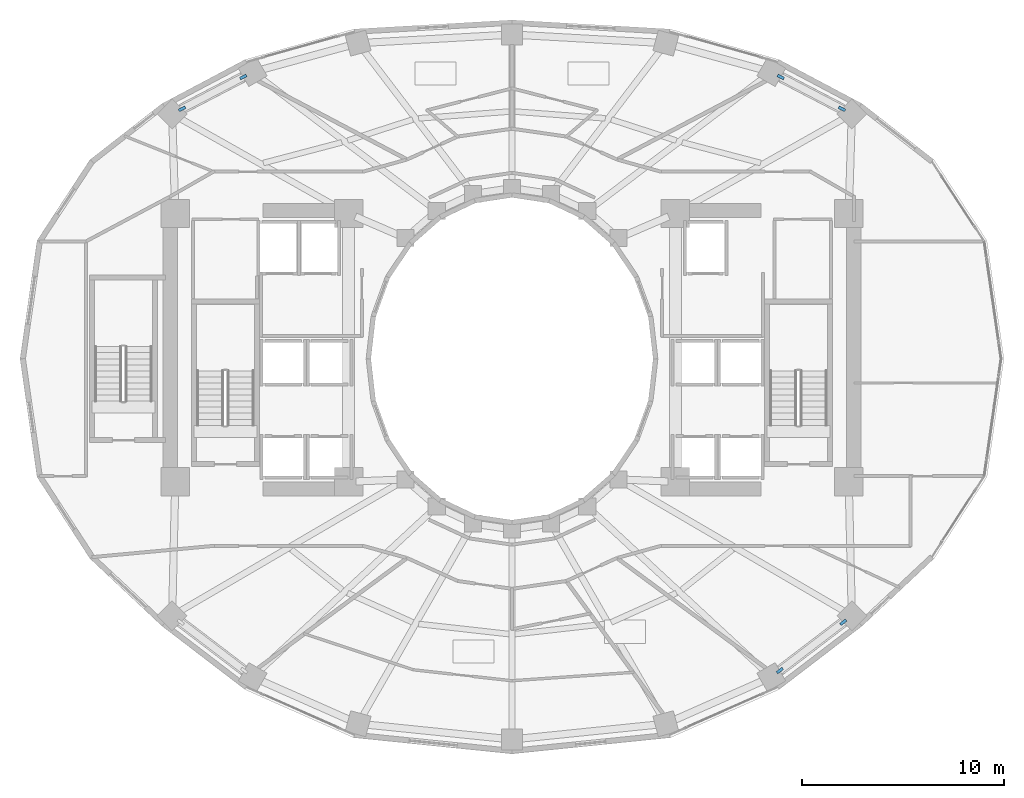
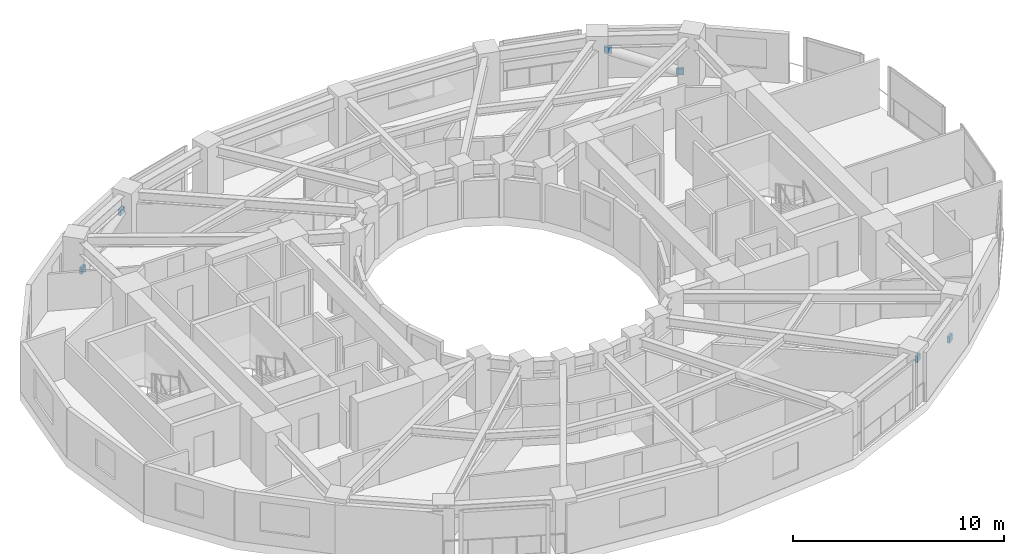
# One storey, part 15 of 18: 6 discrete accessories.
"""IFC4 building model written with IfcOpenShell, lengths in metres."""

import ifcopenshell
import ifcopenshell.guid

model = None  # the IFC model being written
_history = None  # IfcOwnerHistory: only IFC2X3 demands one
_inside = {}  # id of a spatial element -> (the spatial element, [elements in it])
_under = {}  # id of a project, library or spatial element -> (it, [spatial elements below it])
_declared = {}  # id of a project -> (the project, [libraries it declares])
_typed = {}  # id of a type object -> (the type object, [elements of that type])
_made_of = {}  # id of a material, layer set ... -> (it, [elements and type objects made of it])


def new_model(schema):
    """Start an empty IFC model of exactly this schema.

    Asked for "IFC4X3", IfcOpenShell would pick the latest addendum, in which some entities
    have other attributes; the version numbers below select the first issue.
    IFC2X3 requires an IfcOwnerHistory on every rooted entity: one is made here for all.
    """
    global model, _history
    if schema == "IFC4X3":
        model = ifcopenshell.file(schema_version=(4, 3, 0, 0))
    else:
        model = ifcopenshell.file(schema=schema)
    _inside.clear()
    _under.clear()
    _declared.clear()
    _typed.clear()
    _made_of.clear()
    _history = None
    if model.schema == "IFC2X3":
        org = make("IfcOrganization", Name="unknown")
        user = make(
            "IfcPersonAndOrganization",
            ThePerson=make("IfcPerson", FamilyName="unknown"),
            TheOrganization=org,
        )
        app = make(
            "IfcApplication",
            ApplicationDeveloper=org,
            Version="unknown",
            ApplicationFullName="unknown",
            ApplicationIdentifier="unknown",
        )
        _history = make(
            "IfcOwnerHistory",
            OwningUser=user,
            OwningApplication=app,
            ChangeAction="ADDED",
            CreationDate=0,
        )
    return model


def make(cls, **values):
    """One entity of the class cls with the attributes given. An attribute that is None is left unset."""
    return model.create_entity(
        cls, **{name: value for name, value in values.items() if value is not None}
    )


def rooted(cls, **values):
    """An entity with a GlobalId (a new one), such as an element, a storey or a relation."""
    return make(cls, GlobalId=ifcopenshell.guid.new(), OwnerHistory=_history, **values)


def si_unit(unit_type, name, prefix=None):
    """IfcSIUnit, for example si_unit("LENGTHUNIT", "METRE", prefix="MILLI")."""
    return make("IfcSIUnit", UnitType=unit_type, Prefix=prefix, Name=name)


def assignment(units):
    """IfcUnitAssignment: the units of a project."""
    return None if units is None else make("IfcUnitAssignment", Units=units)


def point(xyz):
    """IfcCartesianPoint."""
    return None if xyz is None else make("IfcCartesianPoint", Coordinates=xyz)


def direction(xyz):
    """IfcDirection."""
    return None if xyz is None else make("IfcDirection", DirectionRatios=xyz)


def frame(location, z_axis=None, x_axis=None):
    """IfcAxis2Placement3D, a coordinate frame: its origin and axes. An axis left out is left unset."""
    return make(
        "IfcAxis2Placement3D",
        Location=point(location),
        Axis=direction(z_axis),
        RefDirection=direction(x_axis),
    )


def frame_2d(location, x_axis=None):
    """IfcAxis2Placement2D, a coordinate frame in the plane: its origin and x axis."""
    return make(
        "IfcAxis2Placement2D", Location=point(location), RefDirection=direction(x_axis)
    )


def origin():
    """The frame at (0, 0, 0) with its axes left unset."""
    return frame((0.0, 0.0, 0.0))


def origin_2d():
    """The frame at (0, 0) in the plane with its x axis left unset."""
    return frame_2d((0.0, 0.0))


def place(relative_to, where):
    """IfcLocalPlacement: puts the frame where relative to a parent placement (None: the world)."""
    return make(
        "IfcLocalPlacement", PlacementRelTo=relative_to, RelativePlacement=where
    )


def context(
    kind, dimensions, precision=None, world=None, true_north=None, identifier=None
):
    """IfcGeometricRepresentationContext, for example the 3D "Model" context."""
    return make(
        "IfcGeometricRepresentationContext",
        ContextIdentifier=identifier,
        ContextType=kind,
        CoordinateSpaceDimension=dimensions,
        Precision=precision,
        WorldCoordinateSystem=world,
        TrueNorth=true_north,
    )


def subcontext(parent, identifier, kind, view, scale=None):
    """IfcGeometricRepresentationSubContext, for example "Body" below "Model"."""
    return make(
        "IfcGeometricRepresentationSubContext",
        ContextIdentifier=identifier,
        ContextType=kind,
        ParentContext=parent,
        TargetScale=scale,
        TargetView=view,
    )


def project(units=None, contexts=None):
    """IfcProject with its units and contexts."""
    return rooted(
        "IfcProject",
        Name="project",
        RepresentationContexts=contexts,
        UnitsInContext=assignment(units),
    )


def spatial(cls, under=None, at=None, **own):
    """A site, building, storey or space (cls), placed at a placement, below another one or the project."""
    s = rooted(cls, ObjectPlacement=at, **own)
    if under is not None:
        _under.setdefault(under.id(), (under, []))[1].append(s)
    return s


def profile(cls, at=None, kind="AREA", **sizes):
    """A parametric profile (cls). Its sizes go by their IFC names, for example OverallWidth=200.0."""
    return make(cls, ProfileType=kind, Position=at, **sizes)


def rectangle(**sizes):
    """IfcRectangleProfileDef."""
    return profile("IfcRectangleProfileDef", **sizes)


def extrude(swept, where, along, depth):
    """IfcExtrudedAreaSolid: the profile swept, set in the frame where, extruded along a direction by depth."""
    return make(
        "IfcExtrudedAreaSolid",
        SweptArea=swept,
        Position=where,
        ExtrudedDirection=direction(along),
        Depth=depth,
    )


def shape(context_of_items, identifier, shape_type, items):
    """IfcShapeRepresentation: the items that make up one representation, for example the "Body"."""
    return make(
        "IfcShapeRepresentation",
        ContextOfItems=context_of_items,
        RepresentationIdentifier=identifier,
        RepresentationType=shape_type,
        Items=items,
    )


def material(Name=None, Category=None):
    """IfcMaterial."""
    return make("IfcMaterial", Name=Name, Category=Category)


def layer(
    of_material, thickness, ventilated=None, Name=None, Category=None, Priority=None
):
    """IfcMaterialLayer: one layer of a wall or slab, of a material (None: an air gap)."""
    return make(
        "IfcMaterialLayer",
        Material=of_material,
        LayerThickness=thickness,
        IsVentilated=ventilated,
        Name=Name,
        Category=Category,
        Priority=Priority,
    )


def layer_set(layers, Name=None):
    """IfcMaterialLayerSet."""
    return make("IfcMaterialLayerSet", MaterialLayers=layers, LayerSetName=Name)


def made_of(thing, what):
    """Note that an element or type object is made of a material, layer set ...; save() writes the relation."""
    if what is not None:
        _made_of.setdefault(what.id(), (what, []))[1].append(thing)
    return thing


def type_object(cls, material=None, **own):
    """A type object (cls), such as IfcWallType, which elements share."""
    return made_of(rooted(cls, **own), material)


def element(
    cls,
    number,
    at=None,
    inside=None,
    cuts=None,
    type_object=None,
    material=None,
    context=None,
    identifier="Body",
    shape_type=None,
    held_by="IfcProductDefinitionShape",
    body=None,
    shapes=None,
    **own,
):
    """One element of the class cls, such as IfcWall. Its Tag is "e" and its number.

    at: its placement. inside: the storey or other place that contains it. cuts: it is an
    opening in that element (IfcRelVoidsElement). A single representation is given by context,
    identifier, shape_type and body (its items); several are given by shapes. held_by: the class
    of the entity that holds the representations. save() writes the other relations.
    """
    e = rooted(cls, Tag="e%d" % number, ObjectPlacement=at, **own)
    if body is not None:
        shapes = [shape(context, identifier, shape_type, body)]
    if shapes is not None:
        e.Representation = make(held_by, Representations=shapes)
    if inside is not None:
        _inside.setdefault(inside.id(), (inside, []))[1].append(e)
    if cuts is not None:
        rooted(
            "IfcRelVoidsElement", RelatingBuildingElement=cuts, RelatedOpeningElement=e
        )
    if type_object is not None:
        _typed.setdefault(type_object.id(), (type_object, []))[1].append(e)
    return made_of(e, material)


def aggregate(whole, parts):
    """IfcRelAggregates: a whole, such as a stair, and the parts it consists of."""
    return rooted("IfcRelAggregates", RelatingObject=whole, RelatedObjects=parts)


def save(model, path):
    """Write the relations noted so far, then the file.

    IfcRelAggregates (storeys below a building ...), IfcRelContainedInSpatialStructure (elements
    in a storey), IfcRelDefinesByType, IfcRelAssociatesMaterial and IfcRelDeclares: one each for
    every whole, place, type object, material and project.
    """
    for whole, parts in _under.values():
        aggregate(whole, parts)
    for where, things in _inside.values():
        rooted(
            "IfcRelContainedInSpatialStructure",
            RelatedElements=things,
            RelatingStructure=where,
        )
    for kind, things in _typed.values():
        rooted("IfcRelDefinesByType", RelatedObjects=things, RelatingType=kind)
    for what, things in _made_of.values():
        rooted("IfcRelAssociatesMaterial", RelatedObjects=things, RelatingMaterial=what)
    for by, libraries in _declared.values():
        rooted("IfcRelDeclares", RelatingContext=by, RelatedDefinitions=libraries)
    model.write(path)


model = new_model("IFC4")

# Units and contexts
model_context = context("Model", 3, precision=1e-05, world=origin(), true_north=direction((0.0, 1.0)))
body_context = subcontext(model_context, "Body", "Model", "MODEL_VIEW")
ifc_project = project(units=[si_unit("LENGTHUNIT", "METRE"), si_unit("AREAUNIT", "SQUARE_METRE"), si_unit("VOLUMEUNIT", "CUBIC_METRE"), si_unit("PLANEANGLEUNIT", "RADIAN"), si_unit("MASSUNIT", "GRAM", prefix="KILO")], contexts=[model_context])

# Site, building, storey
site_placement = place(None, origin())
site = spatial("IfcSite", under=ifc_project, at=site_placement, CompositionType="ELEMENT")
building_placement = place(site_placement, origin())
building = spatial("IfcBuilding", under=site, at=building_placement, Name="Solvane Sanctuary Tower", CompositionType="ELEMENT")
storey_placement = place(building_placement, frame((0.0, 0.0, 94.89990234375)))
storey = spatial("IfcBuildingStorey", under=building, at=storey_placement, Name="L28", CompositionType="ELEMENT", Elevation=94.89990234375)

# Discrete accessories
ifc_material = material(Name="Steel ASTM A572 Grade 50", Category="steel")
ifc_layer = layer(ifc_material, 0.360107421875, Name="Steel ASTM A572 Grade 50")
ifc_layer_set = layer_set([ifc_layer], Name="Steel ASTM A572 Grade 50")
discrete_accessory_type = type_object("IfcDiscreteAccessoryType", Name="Accessory ACC-GUSSET-BRK", PredefinedType="BRACKET", material=ifc_layer_set)
for number, where, z_axis, x_axis, name in (
    (1, (48.360595703125, 35.39453125, 0.4208984375), (0.0, 0.0, 1.0), (-0.887010833178, 0.461748613235, 0.0), "L28 Perimeter Braced-Tube Diagonal NE End Gusset Bracket A"),
    (2, (45.32861328125, 36.97265625, 1.78125), (0.0, 0.0, 1.0), (-0.887010833178, 0.461748613235, 0.0), "L28 Perimeter Braced-Tube Diagonal NE End Gusset Bracket B"),
    (3, (15.639404296875, 35.39453125, 0.4208984375), (0.0, 0.0, 1.0), (0.887010833178, 0.461748613235, 0.0), "L28 Perimeter Braced-Tube Diagonal NW End Gusset Bracket A"),
    (4, (18.67138671875, 36.97265625, 1.78125), (0.0, 0.0, 1.0), (0.887010833178, 0.461748613235, 0.0), "L28 Perimeter Braced-Tube Diagonal NW End Gusset Bracket B"),
    (5, (48.427734375, 9.933349609375, 0.390625), (0.0, 0.0, 1.0), (-0.795473480855, -0.605988400266, 0.0), "L28 Perimeter Braced-Tube Diagonal SE End Gusset Bracket A"),
    (6, (45.283203125, 7.537353515625, 1.8017578125), (0.0, 0.0, 1.0), (-0.795473480855, -0.605988400266, 0.0), "L28 Perimeter Braced-Tube Diagonal SE End Gusset Bracket B"),
):
    element("IfcDiscreteAccessory", number, at=place(storey_placement, frame(where, z_axis=z_axis, x_axis=x_axis)), inside=storey, type_object=discrete_accessory_type, Name=name, PredefinedType="BRACKET", context=body_context, shape_type="SweptSolid", body=[
        extrude(rectangle(XDim=0.360107421875, YDim=0.139892578125, at=origin_2d()), origin(), (0.0, 0.0, 1.0), 0.360107421875),
    ])

save(model, "model.ifc")
